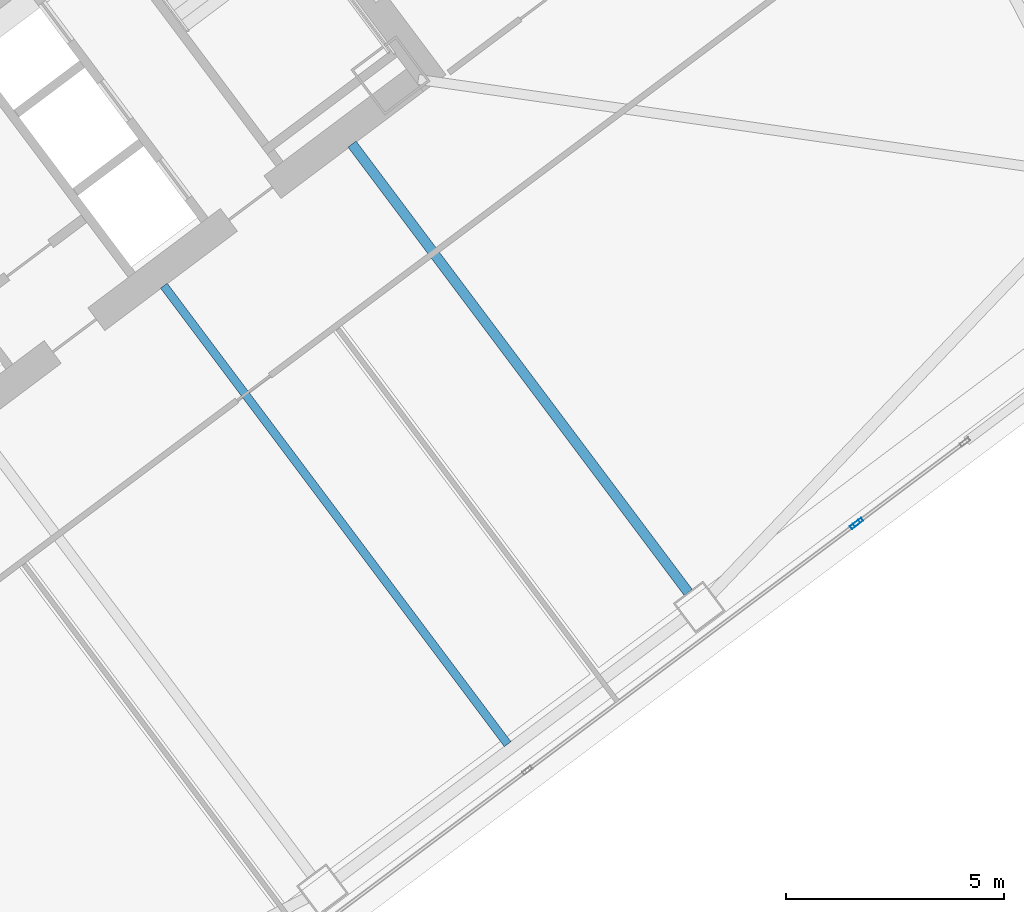
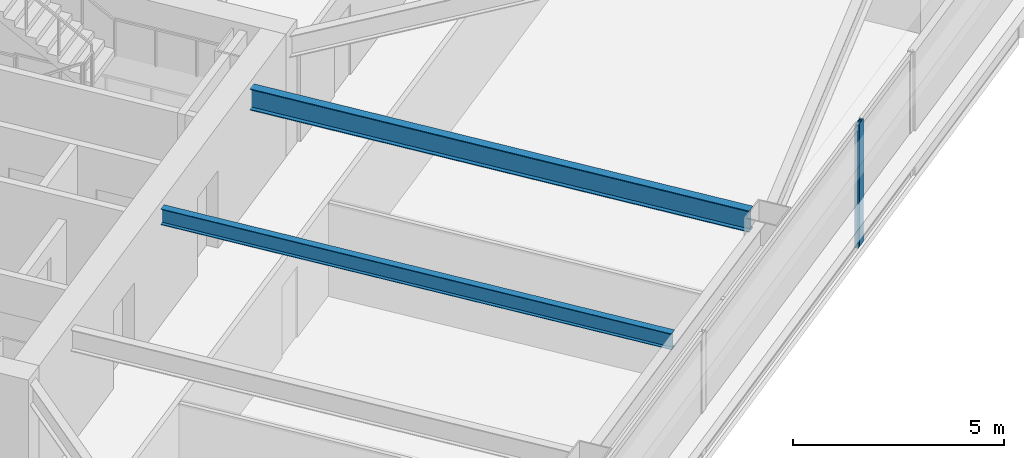
# One storey, part 25 of 46: 2 beams, 2 members, 2 elements without a shape of their own.
"""IFC4 building model written with IfcOpenShell, lengths in metres."""

from ifc_helpers import new_model, si_unit, direction, frame, origin, origin_2d, place, context, subcontext, project, spatial, hollow_rectangle, i_section, extrude, material, material_profile, profile_set, type_object, element, aggregate, save


model = new_model("IFC4")

# Units and contexts
model_context = context("Model", 3, precision=1e-05, world=origin(), true_north=direction((0.0, 1.0)))
body_context = subcontext(model_context, "Body", "Model", "MODEL_VIEW")
ifc_project = project(units=[si_unit("LENGTHUNIT", "METRE"), si_unit("AREAUNIT", "SQUARE_METRE"), si_unit("VOLUMEUNIT", "CUBIC_METRE"), si_unit("PLANEANGLEUNIT", "RADIAN"), si_unit("MASSUNIT", "GRAM", prefix="KILO")], contexts=[model_context])

# Site, building, storey
site_placement = place(None, origin())
site = spatial("IfcSite", under=ifc_project, at=site_placement, CompositionType="ELEMENT")
building_placement = place(site_placement, origin())
building = spatial("IfcBuilding", under=site, at=building_placement, Name="Tashvorn Skyway Center", CompositionType="ELEMENT")
storey_placement = place(building_placement, frame((0.0, 0.0, 60.10009765625)))
storey = spatial("IfcBuildingStorey", under=building, at=storey_placement, Name="L15", CompositionType="ELEMENT", Elevation=60.10009765625)

# Beams
ifc_material_1 = material(Name="Steel ASTM A992 Grade 50", Category="steel")
ifc_material_profile_1 = material_profile(ifc_material_1, i_section(OverallWidth=0.22998046875, OverallDepth=0.616943359375, WebThickness=0.01318359375, FlangeThickness=0.022216796875, at=origin_2d()), Name="W24X94")
ifc_profile_set_1 = profile_set([ifc_material_profile_1], Name="Steel ASTM A992 Grade 50")
beam_type_1 = type_object("IfcBeamType", Name="BM-BEAM-W24X94", PredefinedType="BEAM", material=ifc_profile_set_1)
beam_1_placement = place(storey_placement, frame((130.697998046875, 18.736083984375, 3.04150390625), z_axis=(-0.599996960112, 0.800002279907, 0.0), x_axis=(-0.800002279907, -0.599996960112, 0.0)))
element("IfcBeam", 1, at=beam_1_placement, inside=storey, type_object=beam_type_1, Name="Tower 2 L15 Primary Floor Girder FC-S2", PredefinedType="BEAM", context=body_context, shape_type="SweptSolid", body=[
    extrude(i_section(OverallWidth=0.22998046875, OverallDepth=0.616943359375, WebThickness=0.01318359375, FlangeThickness=0.022216796875, at=origin_2d()), origin(), (0.0, 0.0, 1.0), 12.85009765625),
])
ifc_material_profile_2 = material_profile(ifc_material_1, i_section(OverallWidth=0.19091796875, OverallDepth=0.4599609375, WebThickness=0.010009765625, FlangeThickness=0.01611328125, at=origin_2d()), Name="W18X55")
ifc_profile_set_2 = profile_set([ifc_material_profile_2], Name="Steel ASTM A992 Grade 50")
beam_type_2 = type_object("IfcBeamType", Name="BM-JOIST-W18X55", PredefinedType="JOIST", material=ifc_profile_set_2)
beam_2_placement = place(storey_placement, frame((118.674072265625, 25.76806640625, 3.119873046875), z_axis=(0.600002972791, -0.799997770398, 0.0), x_axis=(0.799997770398, 0.600002972791, 0.0)))
element("IfcBeam", 2, at=beam_2_placement, inside=storey, type_object=beam_type_2, Name="Tower 2 L15 Secondary Composite Joist JS", PredefinedType="JOIST", context=body_context, shape_type="SweptSolid", body=[
    extrude(i_section(OverallWidth=0.19091796875, OverallDepth=0.4599609375, WebThickness=0.010009765625, FlangeThickness=0.01611328125, at=origin_2d()), origin(), (0.0, 0.0, 1.0), 13.139892578125),
])

# Curtain wall, member
ifc_material_2 = material(Name="Thermally broken bronze-anodized aluminium 6063-T6", Category="aluminium")
curtain_wall_type = type_object("IfcCurtainWallType", Name="CW-CW-Z1", PredefinedType="NOTDEFINED", material=ifc_material_2)
curtain_wall_1_placement = place(storey_placement, origin())
curtain_wall_1 = element("IfcCurtainWall", 3, at=curtain_wall_1_placement, inside=storey, type_object=curtain_wall_type, Name="Tower 2 L15 South Unitised Curtain Wall Glazing Group 1", PredefinedType="NOTDEFINED")
ifc_material_profile_3 = material_profile(ifc_material_2, hollow_rectangle(XDim=0.0849609375, YDim=0.239990234375, WallThickness=0.0048828125, at=origin_2d()), Name="ALU-MULL-85x240")
ifc_profile_set_3 = profile_set([ifc_material_profile_3], Name="Thermally broken bronze-anodized aluminium 6063-T6")
member_type = type_object("IfcMemberType", Name="CWM-CW-Z1", PredefinedType="MULLION", material=ifc_profile_set_3)
member_1_placement = place(storey_placement, frame((134.593994140625, 20.345458984375, 0.0), z_axis=(0.0, 0.0, 1.0), x_axis=(0.600005084776, -0.799996186392, 0.0)))
member_1 = element("IfcMember", 4, at=member_1_placement, type_object=member_type, Name="CW-Z1 mullion 2", PredefinedType="MULLION", context=body_context, shape_type="SweptSolid", body=[
    extrude(hollow_rectangle(XDim=0.0849609375, YDim=0.239990234375, WallThickness=0.0048828125, at=origin_2d()), origin(), (0.0, 0.0, 1.0), 3.5498046875),
])
aggregate(curtain_wall_1, [member_1])

curtain_wall_2_placement = place(storey_placement, origin())
curtain_wall_2 = element("IfcCurtainWall", 5, at=curtain_wall_2_placement, inside=storey, type_object=curtain_wall_type, Name="Tower 2 L15 South Unitised Curtain Wall Glazing Group 2", PredefinedType="NOTDEFINED")
member_2_placement = place(storey_placement, frame((134.52587890625, 20.29443359375, 0.0), z_axis=(0.0, 0.0, 1.0), x_axis=(0.600000000002, -0.799999999998, 0.0)))
member_2 = element("IfcMember", 6, at=member_2_placement, type_object=member_type, Name="CW-Z1 mullion 1", PredefinedType="MULLION", context=body_context, shape_type="SweptSolid", body=[
    extrude(hollow_rectangle(XDim=0.0849609375, YDim=0.239990234375, WallThickness=0.0048828125, at=origin_2d()), origin(), (0.0, 0.0, 1.0), 3.5498046875),
])
aggregate(curtain_wall_2, [member_2])

save(model, "model.ifc")
